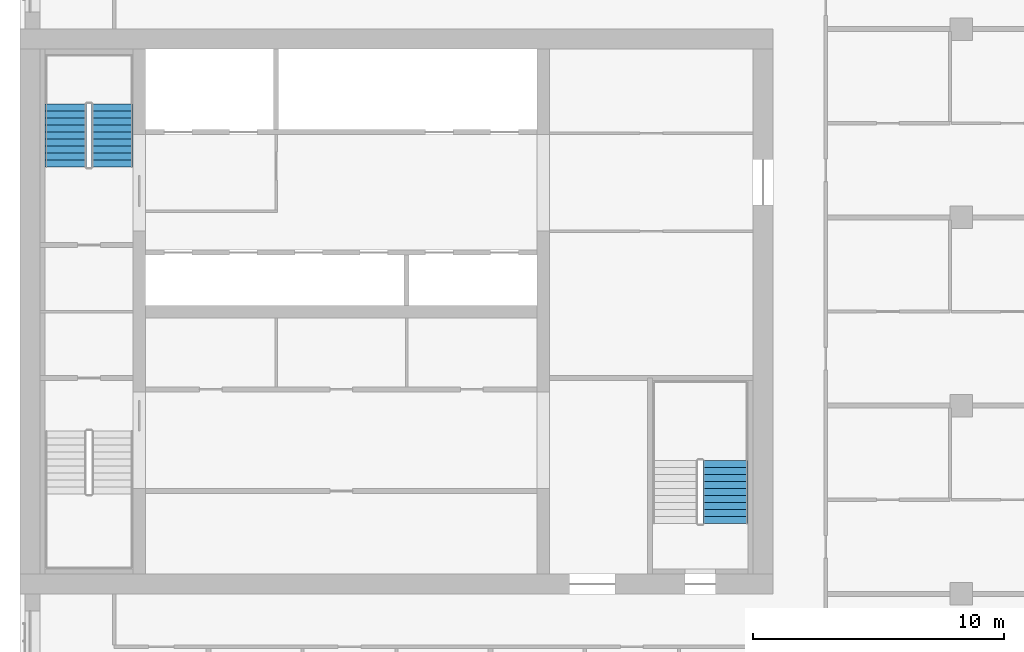
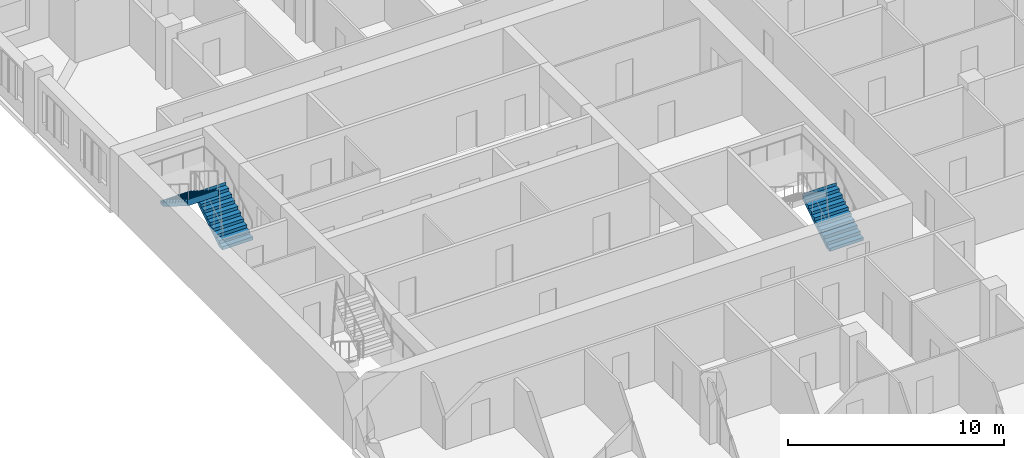
# One storey, part 13 of 14: 3 stair flights, 2 elements without a shape of their own.
"""IFC4 building model written with IfcOpenShell, lengths in metres."""

from ifc_helpers import new_model, si_unit, direction, frame, origin, place, context, subcontext, project, spatial, polyline, outline, extrude, material, type_object, element, aggregate, save


model = new_model("IFC4")

# Units and contexts
model_context = context("Model", 3, precision=1e-05, world=origin(), true_north=direction((0.0, 1.0)))
body_context = subcontext(model_context, "Body", "Model", "MODEL_VIEW")
ifc_project = project(units=[si_unit("LENGTHUNIT", "METRE"), si_unit("AREAUNIT", "SQUARE_METRE"), si_unit("VOLUMEUNIT", "CUBIC_METRE"), si_unit("PLANEANGLEUNIT", "RADIAN"), si_unit("MASSUNIT", "GRAM", prefix="KILO")], contexts=[model_context])

# Site, building, storey
site_placement = place(None, origin())
site = spatial("IfcSite", under=ifc_project, at=site_placement, CompositionType="ELEMENT")
building_placement = place(site_placement, origin())
building = spatial("IfcBuilding", under=site, at=building_placement, Name="Tamorin Gate", CompositionType="ELEMENT")
storey_placement = place(building_placement, frame((0.0, 0.0, 210.699951171875)))
storey = spatial("IfcBuildingStorey", under=building, at=storey_placement, Name="L52", CompositionType="ELEMENT", Elevation=210.699951171875)

# Stair, stair flights
ifc_material = material(Name="Concrete C40/50", Category="concrete")
stair_type = type_object("IfcStairType", Name="Exit stair", PredefinedType="HALF_TURN_STAIR", material=ifc_material)
stair_1_placement = place(storey_placement, origin())
stair_1 = element("IfcStair", 1, at=stair_1_placement, inside=storey, type_object=stair_type, Name="L52 stair ST2", PredefinedType="HALF_TURN_STAIR")
stair_flight_type = type_object("IfcStairFlightType", Name="Exit stair flight", PredefinedType="STRAIGHT", material=ifc_material)
stair_flight_1_placement = place(storey_placement, frame((33.675048828125, 77.0, 0.0), z_axis=(0.0, 0.0, 1.0), x_axis=(0.0, 1.0, 0.0)))
stair_flight_1 = element("IfcStairFlight", 2, at=stair_flight_1_placement, type_object=stair_flight_type, Name="ST2 flight 1", NumberOfRisers=10, NumberOfTreads=9, PredefinedType="STRAIGHT", RiserHeight=0.175, TreadLength=0.28, context=body_context, shape_type="SweptSolid", body=[
    extrude(outline(polyline([(-0.00048828125, 0.0), (-0.00048828125, 0.001708984375), (-0.00048828125, 0.00341796875), (-0.00048828125, 0.005126953125), (-0.00048828125, 0.0068359375), (-0.00048828125, 0.008544921875), (-0.00048828125, 0.010498046875), (-0.00048828125, 0.01220703125), (-0.00048828125, 0.013916015625), (-0.00048828125, 0.015625), (-0.00048828125, 0.017333984375), (-0.00048828125, 0.01904296875), (-0.00048828125, 0.020751953125), (-0.00048828125, 0.0224609375), (-0.00048828125, 0.024169921875), (-0.00048828125, 0.02587890625), (-0.00048828125, 0.02783203125), (-0.00048828125, 0.029541015625), (-0.00048828125, 0.03125), (-0.00048828125, 0.032958984375), (-0.00048828125, 0.03466796875), (-0.00048828125, 0.036376953125), (-0.00048828125, 0.0380859375), (-0.00048828125, 0.039794921875), (-0.00048828125, 0.04150390625), (-0.00048828125, 0.043212890625), (-0.00048828125, 0.045166015625), (-0.00048828125, 0.046875), (-0.00048828125, 0.048583984375), (-0.00048828125, 0.05029296875), (-0.00048828125, 0.052001953125), (-0.00048828125, 0.0537109375), (-0.00048828125, 0.055419921875), (-0.00048828125, 0.05712890625), (-0.00048828125, 0.058837890625), (-0.00048828125, 0.060546875), (-0.00048828125, 0.062255859375), (-0.00048828125, 0.064208984375), (-0.00048828125, 0.06591796875), (-0.00048828125, 0.067626953125), (-0.00048828125, 0.0693359375), (-0.00048828125, 0.071044921875), (-0.00048828125, 0.07275390625), (-0.00048828125, 0.074462890625), (-0.00048828125, 0.076171875), (-0.00048828125, 0.077880859375), (-0.00048828125, 0.07958984375), (-0.00048828125, 0.08154296875), (-0.00048828125, 0.083251953125), (-0.00048828125, 0.0849609375), (-0.00048828125, 0.086669921875), (-0.00048828125, 0.08837890625), (-0.00048828125, 0.090087890625), (-0.00048828125, 0.091796875), (-0.00048828125, 0.093505859375), (-0.00048828125, 0.09521484375), (-0.00048828125, 0.096923828125), (-0.00048828125, 0.098876953125), (-0.00048828125, 0.1005859375), (-0.00048828125, 0.102294921875), (-0.00048828125, 0.10400390625), (-0.00048828125, 0.105712890625), (-0.00048828125, 0.107421875), (-0.00048828125, 0.109130859375), (-0.00048828125, 0.11083984375), (-0.00048828125, 0.112548828125), (-0.00048828125, 0.1142578125), (-0.00048828125, 0.1162109375), (-0.00048828125, 0.117919921875), (-0.00048828125, 0.11962890625), (-0.00048828125, 0.121337890625), (-0.00048828125, 0.123046875), (-0.00048828125, 0.124755859375), (-0.00048828125, 0.12646484375), (-0.00048828125, 0.128173828125), (-0.00048828125, 0.1298828125), (-0.00048828125, 0.131591796875), (-0.00048828125, 0.13330078125), (-0.00048828125, 0.13525390625), (-0.00048828125, 0.136962890625), (-0.00048828125, 0.138671875), (-0.00048828125, 0.140380859375), (-0.00048828125, 0.14208984375), (-0.00048828125, 0.143798828125), (-0.00048828125, 0.1455078125), (-0.00048828125, 0.147216796875), (-0.00048828125, 0.14892578125), (-0.00048828125, 0.150634765625), (-0.00048828125, 0.152587890625), (-0.00048828125, 0.154296875), (-0.00048828125, 0.156005859375), (-0.00048828125, 0.15771484375), (-0.00048828125, 0.159423828125), (-0.00048828125, 0.1611328125), (-0.00048828125, 0.162841796875), (-0.00048828125, 0.16455078125), (-0.00048828125, 0.166259765625), (-0.00048828125, 0.16796875), (-0.00048828125, 0.169921875), (-0.00048828125, 0.171630859375), (-0.00048828125, 0.17333984375), (-0.00048828125, 0.175048828125), (0.280029296875, 0.175048828125), (0.280029296875, 0.35009765625), (0.56005859375, 0.35009765625), (0.56005859375, 0.52490234375), (0.840087890625, 0.52490234375), (0.840087890625, 0.699951171875), (1.1201171875, 0.699951171875), (1.1201171875, 0.875), (1.39990234375, 0.875), (1.39990234375, 1.050048828125), (1.679931640625, 1.050048828125), (1.679931640625, 1.22509765625), (1.9599609375, 1.22509765625), (1.9599609375, 1.39990234375), (2.239990234375, 1.39990234375), (2.239990234375, 1.574951171875), (2.52001953125, 1.574951171875), (2.52001953125, 1.75), (2.5205078125, 1.75), (2.5205078125, 1.74658203125), (2.5205078125, 1.742919921875), (2.5205078125, 1.739501953125), (2.5205078125, 1.736083984375), (2.5205078125, 1.732666015625), (2.5205078125, 1.72900390625), (2.5205078125, 1.7255859375), (2.5205078125, 1.72216796875), (2.5205078125, 1.71875), (2.5205078125, 1.715087890625), (2.5205078125, 1.711669921875), (2.5205078125, 1.708251953125), (2.5205078125, 1.704833984375), (2.5205078125, 1.701171875), (2.5205078125, 1.69775390625), (2.5205078125, 1.6943359375), (2.5205078125, 1.690673828125), (2.5205078125, 1.687255859375), (2.5205078125, 1.683837890625), (2.5205078125, 1.680419921875), (2.5205078125, 1.6767578125), (2.5205078125, 1.67333984375), (2.5205078125, 1.669921875), (2.5205078125, 1.66650390625), (2.5205078125, 1.662841796875), (2.5205078125, 1.659423828125), (2.5205078125, 1.656005859375), (2.5205078125, 1.652587890625), (2.5205078125, 1.64892578125), (2.5205078125, 1.6455078125), (2.5205078125, 1.64208984375), (2.5205078125, 1.638427734375), (2.5205078125, 1.635009765625), (2.5205078125, 1.631591796875), (2.5205078125, 1.628173828125), (2.5205078125, 1.62451171875), (2.5205078125, 1.62109375), (2.5205078125, 1.61767578125), (2.5205078125, 1.6142578125), (2.5205078125, 1.610595703125), (2.5205078125, 1.607177734375), (2.5205078125, 1.603759765625), (2.5205078125, 1.600341796875), (2.5205078125, 1.5966796875), (2.5205078125, 1.59326171875), (2.5205078125, 1.58984375), (2.5205078125, 1.58642578125), (2.5205078125, 1.582763671875), (2.5205078125, 1.579345703125), (2.5205078125, 1.575927734375), (2.5205078125, 1.572265625), (2.5205078125, 1.56884765625), (2.5205078125, 1.5654296875), (2.5205078125, 1.56201171875), (2.5205078125, 1.558349609375), (2.5205078125, 1.554931640625), (2.5205078125, 1.551513671875), (2.5205078125, 1.548095703125), (2.5205078125, 1.54443359375), (2.5205078125, 1.541015625), (2.5205078125, 1.53759765625), (2.5205078125, 1.5341796875), (2.5205078125, 1.530517578125), (2.5205078125, 1.527099609375), (2.5205078125, 1.523681640625), (2.5205078125, 1.52001953125), (2.5205078125, 1.5166015625), (2.5205078125, 1.51318359375), (2.5205078125, 1.509765625), (2.5205078125, 1.506103515625), (2.5205078125, 1.502685546875), (2.5205078125, 1.499267578125), (2.5205078125, 1.495849609375), (2.5205078125, 1.4921875), (2.5205078125, 1.48876953125), (2.5205078125, 1.4853515625), (2.5205078125, 1.48193359375), (2.5205078125, 1.478271484375), (2.5205078125, 1.474853515625), (2.5205078125, 1.471435546875), (2.5205078125, 1.4677734375), (2.5205078125, 1.46435546875), (2.5205078125, 1.4609375), (2.5205078125, 1.45751953125), (2.5205078125, 1.453857421875), (2.5205078125, 1.450439453125), (2.5205078125, 1.447021484375), (2.5205078125, 1.443603515625), (2.5205078125, 1.43994140625), (2.5205078125, 1.4365234375), (2.5205078125, 1.43310546875), (2.5205078125, 1.4296875), (2.5205078125, 1.426025390625), (2.5205078125, 1.422607421875), (2.5205078125, 1.419189453125), (2.5205078125, 1.41552734375), (2.5205078125, 1.412109375), (2.5205078125, 1.40869140625), (2.5205078125, 1.4052734375), (2.5205078125, 1.401611328125), (2.5205078125, 1.398193359375), (2.52001953125, 1.398193359375), (0.28271484375, 0.0), (-0.00048828125, 0.0)])), frame((0.0, 0.824951171875, 0.0), z_axis=(0.0, -1.0, 0.0), x_axis=(1.0, 0.0, 0.0)), (0.0, 0.0, 1.0), 1.64990234375),
])
stair_flight_2_placement = place(storey_placement, frame((31.824951171875, 79.52001953125, 1.75), z_axis=(0.0, 0.0, 1.0), x_axis=(0.0, -1.0, 0.0)))
stair_flight_2 = element("IfcStairFlight", 3, at=stair_flight_2_placement, type_object=stair_flight_type, Name="ST2 flight 2", NumberOfRisers=10, NumberOfTreads=9, PredefinedType="STRAIGHT", RiserHeight=0.175, TreadLength=0.28, context=body_context, shape_type="SweptSolid", body=[
    extrude(outline(polyline([(-0.00048828125, 0.0), (-0.00048828125, 0.001708984375), (-0.00048828125, 0.00341796875), (-0.00048828125, 0.005126953125), (-0.00048828125, 0.0068359375), (-0.00048828125, 0.008544921875), (-0.00048828125, 0.010498046875), (-0.00048828125, 0.01220703125), (-0.00048828125, 0.013916015625), (-0.00048828125, 0.015625), (-0.00048828125, 0.017333984375), (-0.00048828125, 0.01904296875), (-0.00048828125, 0.020751953125), (-0.00048828125, 0.0224609375), (-0.00048828125, 0.024169921875), (-0.00048828125, 0.02587890625), (-0.00048828125, 0.02783203125), (-0.00048828125, 0.029541015625), (-0.00048828125, 0.03125), (-0.00048828125, 0.032958984375), (-0.00048828125, 0.03466796875), (-0.00048828125, 0.036376953125), (-0.00048828125, 0.0380859375), (-0.00048828125, 0.039794921875), (-0.00048828125, 0.04150390625), (-0.00048828125, 0.043212890625), (-0.00048828125, 0.045166015625), (-0.00048828125, 0.046875), (-0.00048828125, 0.048583984375), (-0.00048828125, 0.05029296875), (-0.00048828125, 0.052001953125), (-0.00048828125, 0.0537109375), (-0.00048828125, 0.055419921875), (-0.00048828125, 0.05712890625), (-0.00048828125, 0.058837890625), (-0.00048828125, 0.060546875), (-0.00048828125, 0.062255859375), (-0.00048828125, 0.064208984375), (-0.00048828125, 0.06591796875), (-0.00048828125, 0.067626953125), (-0.00048828125, 0.0693359375), (-0.00048828125, 0.071044921875), (-0.00048828125, 0.07275390625), (-0.00048828125, 0.074462890625), (-0.00048828125, 0.076171875), (-0.00048828125, 0.077880859375), (-0.00048828125, 0.07958984375), (-0.00048828125, 0.08154296875), (-0.00048828125, 0.083251953125), (-0.00048828125, 0.0849609375), (-0.00048828125, 0.086669921875), (-0.00048828125, 0.08837890625), (-0.00048828125, 0.090087890625), (-0.00048828125, 0.091796875), (-0.00048828125, 0.093505859375), (-0.00048828125, 0.09521484375), (-0.00048828125, 0.096923828125), (-0.00048828125, 0.098876953125), (-0.00048828125, 0.1005859375), (-0.00048828125, 0.102294921875), (-0.00048828125, 0.10400390625), (-0.00048828125, 0.105712890625), (-0.00048828125, 0.107421875), (-0.00048828125, 0.109130859375), (-0.00048828125, 0.11083984375), (-0.00048828125, 0.112548828125), (-0.00048828125, 0.1142578125), (-0.00048828125, 0.1162109375), (-0.00048828125, 0.117919921875), (-0.00048828125, 0.11962890625), (-0.00048828125, 0.121337890625), (-0.00048828125, 0.123046875), (-0.00048828125, 0.124755859375), (-0.00048828125, 0.12646484375), (-0.00048828125, 0.128173828125), (-0.00048828125, 0.1298828125), (-0.00048828125, 0.131591796875), (-0.00048828125, 0.13330078125), (-0.00048828125, 0.13525390625), (-0.00048828125, 0.136962890625), (-0.00048828125, 0.138671875), (-0.00048828125, 0.140380859375), (-0.00048828125, 0.14208984375), (-0.00048828125, 0.143798828125), (-0.00048828125, 0.1455078125), (-0.00048828125, 0.147216796875), (-0.00048828125, 0.14892578125), (-0.00048828125, 0.150634765625), (-0.00048828125, 0.152587890625), (-0.00048828125, 0.154296875), (-0.00048828125, 0.156005859375), (-0.00048828125, 0.15771484375), (-0.00048828125, 0.159423828125), (-0.00048828125, 0.1611328125), (-0.00048828125, 0.162841796875), (-0.00048828125, 0.16455078125), (-0.00048828125, 0.166259765625), (-0.00048828125, 0.16796875), (-0.00048828125, 0.169921875), (-0.00048828125, 0.171630859375), (-0.00048828125, 0.17333984375), (-0.00048828125, 0.175048828125), (0.280029296875, 0.175048828125), (0.280029296875, 0.35009765625), (0.56005859375, 0.35009765625), (0.56005859375, 0.52490234375), (0.840087890625, 0.52490234375), (0.840087890625, 0.699951171875), (1.1201171875, 0.699951171875), (1.1201171875, 0.875), (1.39990234375, 0.875), (1.39990234375, 1.050048828125), (1.679931640625, 1.050048828125), (1.679931640625, 1.22509765625), (1.9599609375, 1.22509765625), (1.9599609375, 1.39990234375), (2.239990234375, 1.39990234375), (2.239990234375, 1.574951171875), (2.52001953125, 1.574951171875), (2.52001953125, 1.75), (2.5205078125, 1.75), (2.5205078125, 1.74658203125), (2.5205078125, 1.742919921875), (2.5205078125, 1.739501953125), (2.5205078125, 1.736083984375), (2.5205078125, 1.732666015625), (2.5205078125, 1.72900390625), (2.5205078125, 1.7255859375), (2.5205078125, 1.72216796875), (2.5205078125, 1.71875), (2.5205078125, 1.715087890625), (2.5205078125, 1.711669921875), (2.5205078125, 1.708251953125), (2.5205078125, 1.704833984375), (2.5205078125, 1.701171875), (2.5205078125, 1.69775390625), (2.5205078125, 1.6943359375), (2.5205078125, 1.690673828125), (2.5205078125, 1.687255859375), (2.5205078125, 1.683837890625), (2.5205078125, 1.680419921875), (2.5205078125, 1.6767578125), (2.5205078125, 1.67333984375), (2.5205078125, 1.669921875), (2.5205078125, 1.66650390625), (2.5205078125, 1.662841796875), (2.5205078125, 1.659423828125), (2.5205078125, 1.656005859375), (2.5205078125, 1.652587890625), (2.5205078125, 1.64892578125), (2.5205078125, 1.6455078125), (2.5205078125, 1.64208984375), (2.5205078125, 1.638427734375), (2.5205078125, 1.635009765625), (2.5205078125, 1.631591796875), (2.5205078125, 1.628173828125), (2.5205078125, 1.62451171875), (2.5205078125, 1.62109375), (2.5205078125, 1.61767578125), (2.5205078125, 1.6142578125), (2.5205078125, 1.610595703125), (2.5205078125, 1.607177734375), (2.5205078125, 1.603759765625), (2.5205078125, 1.600341796875), (2.5205078125, 1.5966796875), (2.5205078125, 1.59326171875), (2.5205078125, 1.58984375), (2.5205078125, 1.58642578125), (2.5205078125, 1.582763671875), (2.5205078125, 1.579345703125), (2.5205078125, 1.575927734375), (2.5205078125, 1.572265625), (2.5205078125, 1.56884765625), (2.5205078125, 1.5654296875), (2.5205078125, 1.56201171875), (2.5205078125, 1.558349609375), (2.5205078125, 1.554931640625), (2.5205078125, 1.551513671875), (2.5205078125, 1.548095703125), (2.5205078125, 1.54443359375), (2.5205078125, 1.541015625), (2.5205078125, 1.53759765625), (2.5205078125, 1.5341796875), (2.5205078125, 1.530517578125), (2.5205078125, 1.527099609375), (2.5205078125, 1.523681640625), (2.5205078125, 1.52001953125), (2.5205078125, 1.5166015625), (2.5205078125, 1.51318359375), (2.5205078125, 1.509765625), (2.5205078125, 1.506103515625), (2.5205078125, 1.502685546875), (2.5205078125, 1.499267578125), (2.5205078125, 1.495849609375), (2.5205078125, 1.4921875), (2.5205078125, 1.48876953125), (2.5205078125, 1.4853515625), (2.5205078125, 1.48193359375), (2.5205078125, 1.478271484375), (2.5205078125, 1.474853515625), (2.5205078125, 1.471435546875), (2.5205078125, 1.4677734375), (2.5205078125, 1.46435546875), (2.5205078125, 1.4609375), (2.5205078125, 1.45751953125), (2.5205078125, 1.453857421875), (2.5205078125, 1.450439453125), (2.5205078125, 1.447021484375), (2.5205078125, 1.443603515625), (2.5205078125, 1.43994140625), (2.5205078125, 1.4365234375), (2.5205078125, 1.43310546875), (2.5205078125, 1.4296875), (2.5205078125, 1.426025390625), (2.5205078125, 1.422607421875), (2.5205078125, 1.419189453125), (2.5205078125, 1.41552734375), (2.5205078125, 1.412109375), (2.5205078125, 1.40869140625), (2.5205078125, 1.4052734375), (2.5205078125, 1.401611328125), (2.5205078125, 1.398193359375), (2.52001953125, 1.398193359375), (0.28271484375, 0.0), (-0.00048828125, 0.0)])), frame((0.0, 0.824951171875, 0.0), z_axis=(0.0, -1.0, 0.0), x_axis=(1.0, 0.0, 0.0)), (0.0, 0.0, 1.0), 1.64990234375),
])
aggregate(stair_1, [stair_flight_1, stair_flight_2])

# Stair, stair flight
stair_2_placement = place(storey_placement, origin())
stair_2 = element("IfcStair", 4, at=stair_2_placement, inside=storey, type_object=stair_type, Name="L52 stair ST3", PredefinedType="HALF_TURN_STAIR")
stair_flight_3_placement = place(storey_placement, frame((58.10009765625, 62.800048828125, 0.0), z_axis=(0.0, 0.0, 1.0), x_axis=(0.0, 1.0, 0.0)))
stair_flight_3 = element("IfcStairFlight", 5, at=stair_flight_3_placement, type_object=stair_flight_type, Name="ST3 flight 1", NumberOfRisers=10, NumberOfTreads=9, PredefinedType="STRAIGHT", RiserHeight=0.175, TreadLength=0.28, context=body_context, shape_type="SweptSolid", body=[
    extrude(outline(polyline([(-0.00048828125, 0.0), (-0.00048828125, 0.001708984375), (-0.00048828125, 0.00341796875), (-0.00048828125, 0.005126953125), (-0.00048828125, 0.0068359375), (-0.00048828125, 0.008544921875), (-0.00048828125, 0.010498046875), (-0.00048828125, 0.01220703125), (-0.00048828125, 0.013916015625), (-0.00048828125, 0.015625), (-0.00048828125, 0.017333984375), (-0.00048828125, 0.01904296875), (-0.00048828125, 0.020751953125), (-0.00048828125, 0.0224609375), (-0.00048828125, 0.024169921875), (-0.00048828125, 0.02587890625), (-0.00048828125, 0.02783203125), (-0.00048828125, 0.029541015625), (-0.00048828125, 0.03125), (-0.00048828125, 0.032958984375), (-0.00048828125, 0.03466796875), (-0.00048828125, 0.036376953125), (-0.00048828125, 0.0380859375), (-0.00048828125, 0.039794921875), (-0.00048828125, 0.04150390625), (-0.00048828125, 0.043212890625), (-0.00048828125, 0.045166015625), (-0.00048828125, 0.046875), (-0.00048828125, 0.048583984375), (-0.00048828125, 0.05029296875), (-0.00048828125, 0.052001953125), (-0.00048828125, 0.0537109375), (-0.00048828125, 0.055419921875), (-0.00048828125, 0.05712890625), (-0.00048828125, 0.058837890625), (-0.00048828125, 0.060546875), (-0.00048828125, 0.062255859375), (-0.00048828125, 0.064208984375), (-0.00048828125, 0.06591796875), (-0.00048828125, 0.067626953125), (-0.00048828125, 0.0693359375), (-0.00048828125, 0.071044921875), (-0.00048828125, 0.07275390625), (-0.00048828125, 0.074462890625), (-0.00048828125, 0.076171875), (-0.00048828125, 0.077880859375), (-0.00048828125, 0.07958984375), (-0.00048828125, 0.08154296875), (-0.00048828125, 0.083251953125), (-0.00048828125, 0.0849609375), (-0.00048828125, 0.086669921875), (-0.00048828125, 0.08837890625), (-0.00048828125, 0.090087890625), (-0.00048828125, 0.091796875), (-0.00048828125, 0.093505859375), (-0.00048828125, 0.09521484375), (-0.00048828125, 0.096923828125), (-0.00048828125, 0.098876953125), (-0.00048828125, 0.1005859375), (-0.00048828125, 0.102294921875), (-0.00048828125, 0.10400390625), (-0.00048828125, 0.105712890625), (-0.00048828125, 0.107421875), (-0.00048828125, 0.109130859375), (-0.00048828125, 0.11083984375), (-0.00048828125, 0.112548828125), (-0.00048828125, 0.1142578125), (-0.00048828125, 0.1162109375), (-0.00048828125, 0.117919921875), (-0.00048828125, 0.11962890625), (-0.00048828125, 0.121337890625), (-0.00048828125, 0.123046875), (-0.00048828125, 0.124755859375), (-0.00048828125, 0.12646484375), (-0.00048828125, 0.128173828125), (-0.00048828125, 0.1298828125), (-0.00048828125, 0.131591796875), (-0.00048828125, 0.13330078125), (-0.00048828125, 0.13525390625), (-0.00048828125, 0.136962890625), (-0.00048828125, 0.138671875), (-0.00048828125, 0.140380859375), (-0.00048828125, 0.14208984375), (-0.00048828125, 0.143798828125), (-0.00048828125, 0.1455078125), (-0.00048828125, 0.147216796875), (-0.00048828125, 0.14892578125), (-0.00048828125, 0.150634765625), (-0.00048828125, 0.152587890625), (-0.00048828125, 0.154296875), (-0.00048828125, 0.156005859375), (-0.00048828125, 0.15771484375), (-0.00048828125, 0.159423828125), (-0.00048828125, 0.1611328125), (-0.00048828125, 0.162841796875), (-0.00048828125, 0.16455078125), (-0.00048828125, 0.166259765625), (-0.00048828125, 0.16796875), (-0.00048828125, 0.169921875), (-0.00048828125, 0.171630859375), (-0.00048828125, 0.17333984375), (-0.00048828125, 0.175048828125), (0.280029296875, 0.175048828125), (0.280029296875, 0.35009765625), (0.56005859375, 0.35009765625), (0.56005859375, 0.52490234375), (0.840087890625, 0.52490234375), (0.840087890625, 0.699951171875), (1.1201171875, 0.699951171875), (1.1201171875, 0.875), (1.39990234375, 0.875), (1.39990234375, 1.050048828125), (1.679931640625, 1.050048828125), (1.679931640625, 1.22509765625), (1.9599609375, 1.22509765625), (1.9599609375, 1.39990234375), (2.239990234375, 1.39990234375), (2.239990234375, 1.574951171875), (2.52001953125, 1.574951171875), (2.52001953125, 1.75), (2.5205078125, 1.75), (2.5205078125, 1.74658203125), (2.5205078125, 1.742919921875), (2.5205078125, 1.739501953125), (2.5205078125, 1.736083984375), (2.5205078125, 1.732666015625), (2.5205078125, 1.72900390625), (2.5205078125, 1.7255859375), (2.5205078125, 1.72216796875), (2.5205078125, 1.71875), (2.5205078125, 1.715087890625), (2.5205078125, 1.711669921875), (2.5205078125, 1.708251953125), (2.5205078125, 1.704833984375), (2.5205078125, 1.701171875), (2.5205078125, 1.69775390625), (2.5205078125, 1.6943359375), (2.5205078125, 1.690673828125), (2.5205078125, 1.687255859375), (2.5205078125, 1.683837890625), (2.5205078125, 1.680419921875), (2.5205078125, 1.6767578125), (2.5205078125, 1.67333984375), (2.5205078125, 1.669921875), (2.5205078125, 1.66650390625), (2.5205078125, 1.662841796875), (2.5205078125, 1.659423828125), (2.5205078125, 1.656005859375), (2.5205078125, 1.652587890625), (2.5205078125, 1.64892578125), (2.5205078125, 1.6455078125), (2.5205078125, 1.64208984375), (2.5205078125, 1.638427734375), (2.5205078125, 1.635009765625), (2.5205078125, 1.631591796875), (2.5205078125, 1.628173828125), (2.5205078125, 1.62451171875), (2.5205078125, 1.62109375), (2.5205078125, 1.61767578125), (2.5205078125, 1.6142578125), (2.5205078125, 1.610595703125), (2.5205078125, 1.607177734375), (2.5205078125, 1.603759765625), (2.5205078125, 1.600341796875), (2.5205078125, 1.5966796875), (2.5205078125, 1.59326171875), (2.5205078125, 1.58984375), (2.5205078125, 1.58642578125), (2.5205078125, 1.582763671875), (2.5205078125, 1.579345703125), (2.5205078125, 1.575927734375), (2.5205078125, 1.572265625), (2.5205078125, 1.56884765625), (2.5205078125, 1.5654296875), (2.5205078125, 1.56201171875), (2.5205078125, 1.558349609375), (2.5205078125, 1.554931640625), (2.5205078125, 1.551513671875), (2.5205078125, 1.548095703125), (2.5205078125, 1.54443359375), (2.5205078125, 1.541015625), (2.5205078125, 1.53759765625), (2.5205078125, 1.5341796875), (2.5205078125, 1.530517578125), (2.5205078125, 1.527099609375), (2.5205078125, 1.523681640625), (2.5205078125, 1.52001953125), (2.5205078125, 1.5166015625), (2.5205078125, 1.51318359375), (2.5205078125, 1.509765625), (2.5205078125, 1.506103515625), (2.5205078125, 1.502685546875), (2.5205078125, 1.499267578125), (2.5205078125, 1.495849609375), (2.5205078125, 1.4921875), (2.5205078125, 1.48876953125), (2.5205078125, 1.4853515625), (2.5205078125, 1.48193359375), (2.5205078125, 1.478271484375), (2.5205078125, 1.474853515625), (2.5205078125, 1.471435546875), (2.5205078125, 1.4677734375), (2.5205078125, 1.46435546875), (2.5205078125, 1.4609375), (2.5205078125, 1.45751953125), (2.5205078125, 1.453857421875), (2.5205078125, 1.450439453125), (2.5205078125, 1.447021484375), (2.5205078125, 1.443603515625), (2.5205078125, 1.43994140625), (2.5205078125, 1.4365234375), (2.5205078125, 1.43310546875), (2.5205078125, 1.4296875), (2.5205078125, 1.426025390625), (2.5205078125, 1.422607421875), (2.5205078125, 1.419189453125), (2.5205078125, 1.41552734375), (2.5205078125, 1.412109375), (2.5205078125, 1.40869140625), (2.5205078125, 1.4052734375), (2.5205078125, 1.401611328125), (2.5205078125, 1.398193359375), (2.52001953125, 1.398193359375), (0.28271484375, 0.0), (-0.00048828125, 0.0)])), frame((0.0, 0.89990234375, 0.0), z_axis=(0.0, -1.0, 0.0), x_axis=(1.0, 0.0, 0.0)), (0.0, 0.0, 1.0), 1.800048828125),
])
aggregate(stair_2, [stair_flight_3])

save(model, "model.ifc")
